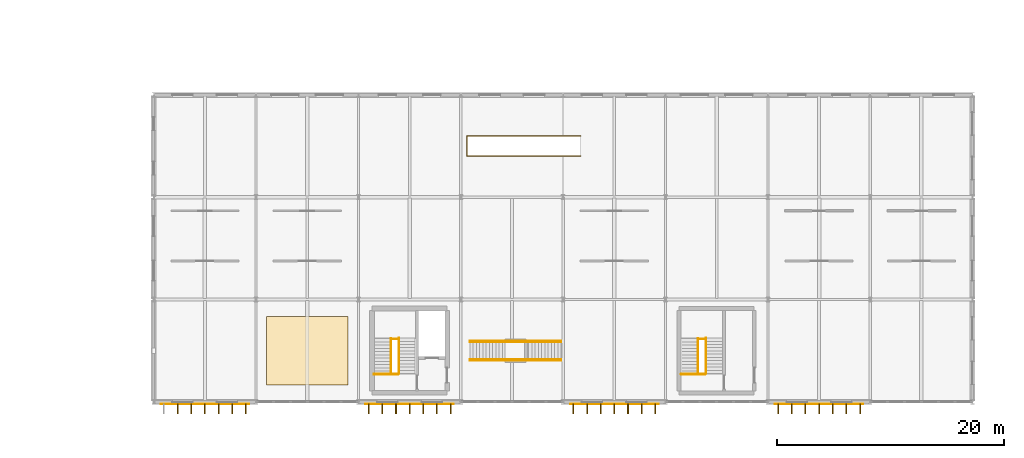
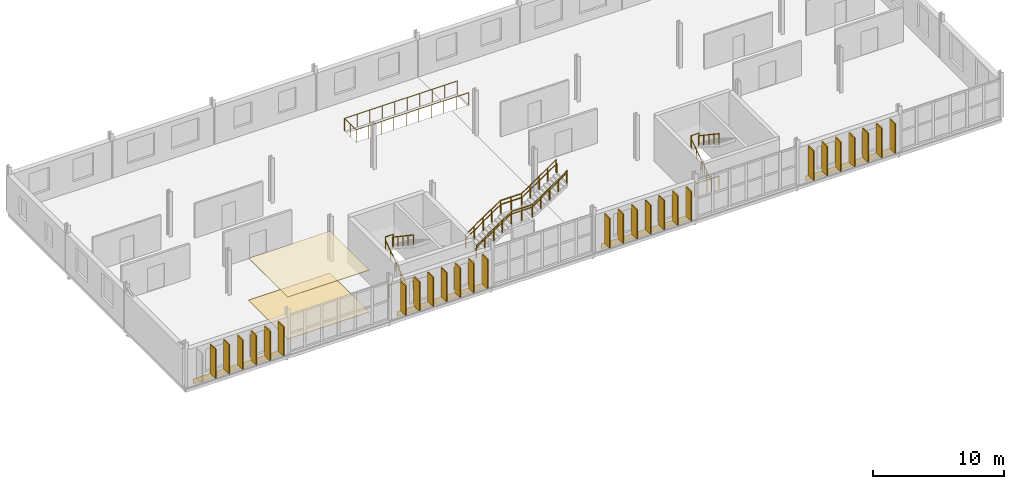
# One storey, part 156 of 161: 27 shading devices, 13 railings, 6 coverings.
"""IFC4 building model written with IfcOpenShell, lengths in metres."""

import ifcopenshell
import ifcopenshell.guid

model = None  # the IFC model being written
_history = None  # IfcOwnerHistory: only IFC2X3 demands one
_inside = {}  # id of a spatial element -> (the spatial element, [elements in it])
_under = {}  # id of a project, library or spatial element -> (it, [spatial elements below it])
_declared = {}  # id of a project -> (the project, [libraries it declares])
_typed = {}  # id of a type object -> (the type object, [elements of that type])
_made_of = {}  # id of a material, layer set ... -> (it, [elements and type objects made of it])


def new_model(schema):
    """Start an empty IFC model of exactly this schema.

    Asked for "IFC4X3", IfcOpenShell would pick the latest addendum, in which some entities
    have other attributes; the version numbers below select the first issue.
    IFC2X3 requires an IfcOwnerHistory on every rooted entity: one is made here for all.
    """
    global model, _history
    if schema == "IFC4X3":
        model = ifcopenshell.file(schema_version=(4, 3, 0, 0))
    else:
        model = ifcopenshell.file(schema=schema)
    _inside.clear()
    _under.clear()
    _declared.clear()
    _typed.clear()
    _made_of.clear()
    _history = None
    if model.schema == "IFC2X3":
        org = make("IfcOrganization", Name="unknown")
        user = make(
            "IfcPersonAndOrganization",
            ThePerson=make("IfcPerson", FamilyName="unknown"),
            TheOrganization=org,
        )
        app = make(
            "IfcApplication",
            ApplicationDeveloper=org,
            Version="unknown",
            ApplicationFullName="unknown",
            ApplicationIdentifier="unknown",
        )
        _history = make(
            "IfcOwnerHistory",
            OwningUser=user,
            OwningApplication=app,
            ChangeAction="ADDED",
            CreationDate=0,
        )
    return model


def make(cls, **values):
    """One entity of the class cls with the attributes given. An attribute that is None is left unset."""
    return model.create_entity(
        cls, **{name: value for name, value in values.items() if value is not None}
    )


def rooted(cls, **values):
    """An entity with a GlobalId (a new one), such as an element, a storey or a relation."""
    return make(cls, GlobalId=ifcopenshell.guid.new(), OwnerHistory=_history, **values)


def si_unit(unit_type, name, prefix=None):
    """IfcSIUnit, for example si_unit("LENGTHUNIT", "METRE", prefix="MILLI")."""
    return make("IfcSIUnit", UnitType=unit_type, Prefix=prefix, Name=name)


def assignment(units):
    """IfcUnitAssignment: the units of a project."""
    return None if units is None else make("IfcUnitAssignment", Units=units)


def point(xyz):
    """IfcCartesianPoint."""
    return None if xyz is None else make("IfcCartesianPoint", Coordinates=xyz)


def direction(xyz):
    """IfcDirection."""
    return None if xyz is None else make("IfcDirection", DirectionRatios=xyz)


def frame(location, z_axis=None, x_axis=None):
    """IfcAxis2Placement3D, a coordinate frame: its origin and axes. An axis left out is left unset."""
    return make(
        "IfcAxis2Placement3D",
        Location=point(location),
        Axis=direction(z_axis),
        RefDirection=direction(x_axis),
    )


def frame_2d(location, x_axis=None):
    """IfcAxis2Placement2D, a coordinate frame in the plane: its origin and x axis."""
    return make(
        "IfcAxis2Placement2D", Location=point(location), RefDirection=direction(x_axis)
    )


def origin():
    """The frame at (0, 0, 0) with its axes left unset."""
    return frame((0.0, 0.0, 0.0))


def origin_2d():
    """The frame at (0, 0) in the plane with its x axis left unset."""
    return frame_2d((0.0, 0.0))


def place(relative_to, where):
    """IfcLocalPlacement: puts the frame where relative to a parent placement (None: the world)."""
    return make(
        "IfcLocalPlacement", PlacementRelTo=relative_to, RelativePlacement=where
    )


def context(
    kind, dimensions, precision=None, world=None, true_north=None, identifier=None
):
    """IfcGeometricRepresentationContext, for example the 3D "Model" context."""
    return make(
        "IfcGeometricRepresentationContext",
        ContextIdentifier=identifier,
        ContextType=kind,
        CoordinateSpaceDimension=dimensions,
        Precision=precision,
        WorldCoordinateSystem=world,
        TrueNorth=true_north,
    )


def subcontext(parent, identifier, kind, view, scale=None):
    """IfcGeometricRepresentationSubContext, for example "Body" below "Model"."""
    return make(
        "IfcGeometricRepresentationSubContext",
        ContextIdentifier=identifier,
        ContextType=kind,
        ParentContext=parent,
        TargetScale=scale,
        TargetView=view,
    )


def project(units=None, contexts=None):
    """IfcProject with its units and contexts."""
    return rooted(
        "IfcProject",
        Name="project",
        RepresentationContexts=contexts,
        UnitsInContext=assignment(units),
    )


def spatial(cls, under=None, at=None, **own):
    """A site, building, storey or space (cls), placed at a placement, below another one or the project."""
    s = rooted(cls, ObjectPlacement=at, **own)
    if under is not None:
        _under.setdefault(under.id(), (under, []))[1].append(s)
    return s


def profile(cls, at=None, kind="AREA", **sizes):
    """A parametric profile (cls). Its sizes go by their IFC names, for example OverallWidth=200.0."""
    return make(cls, ProfileType=kind, Position=at, **sizes)


def rectangle(**sizes):
    """IfcRectangleProfileDef."""
    return profile("IfcRectangleProfileDef", **sizes)


def circle(**sizes):
    """IfcCircleProfileDef."""
    return profile("IfcCircleProfileDef", **sizes)


def extrude(swept, where, along, depth):
    """IfcExtrudedAreaSolid: the profile swept, set in the frame where, extruded along a direction by depth."""
    return make(
        "IfcExtrudedAreaSolid",
        SweptArea=swept,
        Position=where,
        ExtrudedDirection=direction(along),
        Depth=depth,
    )


def shape(context_of_items, identifier, shape_type, items):
    """IfcShapeRepresentation: the items that make up one representation, for example the "Body"."""
    return make(
        "IfcShapeRepresentation",
        ContextOfItems=context_of_items,
        RepresentationIdentifier=identifier,
        RepresentationType=shape_type,
        Items=items,
    )


def material(Name=None, Category=None):
    """IfcMaterial."""
    return make("IfcMaterial", Name=Name, Category=Category)


def layer(
    of_material, thickness, ventilated=None, Name=None, Category=None, Priority=None
):
    """IfcMaterialLayer: one layer of a wall or slab, of a material (None: an air gap)."""
    return make(
        "IfcMaterialLayer",
        Material=of_material,
        LayerThickness=thickness,
        IsVentilated=ventilated,
        Name=Name,
        Category=Category,
        Priority=Priority,
    )


def layer_set(layers, Name=None):
    """IfcMaterialLayerSet."""
    return make("IfcMaterialLayerSet", MaterialLayers=layers, LayerSetName=Name)


def made_of(thing, what):
    """Note that an element or type object is made of a material, layer set ...; save() writes the relation."""
    if what is not None:
        _made_of.setdefault(what.id(), (what, []))[1].append(thing)
    return thing


def type_object(cls, material=None, **own):
    """A type object (cls), such as IfcWallType, which elements share."""
    return made_of(rooted(cls, **own), material)


def element(
    cls,
    number,
    at=None,
    inside=None,
    cuts=None,
    type_object=None,
    material=None,
    context=None,
    identifier="Body",
    shape_type=None,
    held_by="IfcProductDefinitionShape",
    body=None,
    shapes=None,
    **own,
):
    """One element of the class cls, such as IfcWall. Its Tag is "e" and its number.

    at: its placement. inside: the storey or other place that contains it. cuts: it is an
    opening in that element (IfcRelVoidsElement). A single representation is given by context,
    identifier, shape_type and body (its items); several are given by shapes. held_by: the class
    of the entity that holds the representations. save() writes the other relations.
    """
    e = rooted(cls, Tag="e%d" % number, ObjectPlacement=at, **own)
    if body is not None:
        shapes = [shape(context, identifier, shape_type, body)]
    if shapes is not None:
        e.Representation = make(held_by, Representations=shapes)
    if inside is not None:
        _inside.setdefault(inside.id(), (inside, []))[1].append(e)
    if cuts is not None:
        rooted(
            "IfcRelVoidsElement", RelatingBuildingElement=cuts, RelatedOpeningElement=e
        )
    if type_object is not None:
        _typed.setdefault(type_object.id(), (type_object, []))[1].append(e)
    return made_of(e, material)


def aggregate(whole, parts):
    """IfcRelAggregates: a whole, such as a stair, and the parts it consists of."""
    return rooted("IfcRelAggregates", RelatingObject=whole, RelatedObjects=parts)


def save(model, path):
    """Write the relations noted so far, then the file.

    IfcRelAggregates (storeys below a building ...), IfcRelContainedInSpatialStructure (elements
    in a storey), IfcRelDefinesByType, IfcRelAssociatesMaterial and IfcRelDeclares: one each for
    every whole, place, type object, material and project.
    """
    for whole, parts in _under.values():
        aggregate(whole, parts)
    for where, things in _inside.values():
        rooted(
            "IfcRelContainedInSpatialStructure",
            RelatedElements=things,
            RelatingStructure=where,
        )
    for kind, things in _typed.values():
        rooted("IfcRelDefinesByType", RelatedObjects=things, RelatingType=kind)
    for what, things in _made_of.values():
        rooted("IfcRelAssociatesMaterial", RelatedObjects=things, RelatingMaterial=what)
    for by, libraries in _declared.values():
        rooted("IfcRelDeclares", RelatingContext=by, RelatedDefinitions=libraries)
    model.write(path)


model = new_model("IFC4")

# Units and contexts
model_context = context("Model", 3, precision=1e-05, world=origin(), true_north=direction((0.0, 1.0)))
body_context = subcontext(model_context, "Body", "Model", "MODEL_VIEW")
ifc_project = project(units=[si_unit("LENGTHUNIT", "METRE"), si_unit("AREAUNIT", "SQUARE_METRE"), si_unit("VOLUMEUNIT", "CUBIC_METRE"), si_unit("PLANEANGLEUNIT", "RADIAN"), si_unit("MASSUNIT", "GRAM", prefix="KILO")], contexts=[model_context])

# Site, building, storey
site_placement = place(None, origin())
site = spatial("IfcSite", under=ifc_project, at=site_placement, CompositionType="ELEMENT")
building_placement = place(site_placement, origin())
building = spatial("IfcBuilding", under=site, at=building_placement, Name="Kildeholm Park Wholesale Market", CompositionType="ELEMENT")
storey_placement = place(building_placement, frame((0.0, 0.0, 5.39990234375)))
storey = spatial("IfcBuildingStorey", under=building, at=storey_placement, Name="L01", CompositionType="ELEMENT", Elevation=5.39990234375)

# Shading devices
ifc_material_1 = material(Name="Glazed ceramic and anodised aluminium brise-soleil", Category="aluminium")
ifc_layer_1 = layer(ifc_material_1, 0.090087890625)
ifc_layer_set_1 = layer_set([ifc_layer_1], Name="Glazed ceramic and anodised aluminium brise-soleil")
shading_device_type = type_object("IfcShadingDeviceType", Name="Brise-soleil solar fin SH-FIN2 850x90", PredefinedType="USERDEFINED", material=ifc_layer_set_1)
for number, where, z_axis, x_axis, name in (
    (1, (128.10009765625, -0.60498046875, 0.60009765625), (0.0, 0.0, 1.0), (0.0, -1.0, 0.0), "Brise-soleil fin V5E-L01-S01-01.2 SHD-0134"),
    (2, (129.300048828125, -0.60498046875, 0.60009765625), (0.0, 0.0, 1.0), (0.0, -1.0, 0.0), "Brise-soleil fin V5E-L01-S01-01.3 SHD-0135"),
    (3, (130.5, -0.60498046875, 0.60009765625), (0.0, 0.0, 1.0), (0.0, -1.0, 0.0), "Brise-soleil fin V5E-L01-S01-01.4 SHD-0136"),
    (4, (131.699951171875, -0.60498046875, 0.60009765625), (0.0, 0.0, 1.0), (0.0, -1.0, 0.0), "Brise-soleil fin V5E-L01-S01-01.5 SHD-0137"),
    (5, (132.89990234375, -0.60498046875, 0.60009765625), (0.0, 0.0, 1.0), (0.0, -1.0, 0.0), "Brise-soleil fin V5E-L01-S01-01.6 SHD-0138"),
    (6, (134.10009765625, -0.60498046875, 0.60009765625), (0.0, 0.0, 1.0), (0.0, -1.0, 0.0), "Brise-soleil fin V5E-L01-S01-01.7 SHD-0139"),
    (7, (144.89990234375, -0.60498046875, 0.60009765625), (0.0, 0.0, 1.0), (0.0, -1.0, 0.0), "Brise-soleil fin V5E-L01-S03-01.1 SHD-0140"),
    (8, (146.10009765625, -0.60498046875, 0.60009765625), (0.0, 0.0, 1.0), (0.0, -1.0, 0.0), "Brise-soleil fin V5E-L01-S03-01.2 SHD-0141"),
    (9, (147.300048828125, -0.60498046875, 0.60009765625), (0.0, 0.0, 1.0), (0.0, -1.0, 0.0), "Brise-soleil fin V5E-L01-S03-01.3 SHD-0142"),
    (10, (148.5, -0.60498046875, 0.60009765625), (0.0, 0.0, 1.0), (0.0, -1.0, 0.0), "Brise-soleil fin V5E-L01-S03-01.4 SHD-0143"),
    (11, (149.699951171875, -0.60498046875, 0.60009765625), (0.0, 0.0, 1.0), (0.0, -1.0, 0.0), "Brise-soleil fin V5E-L01-S03-01.5 SHD-0144"),
    (12, (150.89990234375, -0.60498046875, 0.60009765625), (0.0, 0.0, 1.0), (0.0, -1.0, 0.0), "Brise-soleil fin V5E-L01-S03-01.6 SHD-0145"),
    (13, (152.10009765625, -0.60498046875, 0.60009765625), (0.0, 0.0, 1.0), (0.0, -1.0, 0.0), "Brise-soleil fin V5E-L01-S03-01.7 SHD-0146"),
    (14, (162.89990234375, -0.60498046875, 0.60009765625), (0.0, 0.0, 1.0), (0.0, -1.0, 0.0), "Brise-soleil fin V5E-L01-S05-01.1 SHD-0147"),
    (15, (164.10009765625, -0.60498046875, 0.60009765625), (0.0, 0.0, 1.0), (0.0, -1.0, 0.0), "Brise-soleil fin V5E-L01-S05-01.2 SHD-0148"),
    (16, (165.300048828125, -0.60498046875, 0.60009765625), (0.0, 0.0, 1.0), (0.0, -1.0, 0.0), "Brise-soleil fin V5E-L01-S05-01.3 SHD-0149"),
    (17, (166.5, -0.60498046875, 0.60009765625), (0.0, 0.0, 1.0), (0.0, -1.0, 0.0), "Brise-soleil fin V5E-L01-S05-01.4 SHD-0150"),
    (18, (167.699951171875, -0.60498046875, 0.60009765625), (0.0, 0.0, 1.0), (0.0, -1.0, 0.0), "Brise-soleil fin V5E-L01-S05-01.5 SHD-0151"),
    (19, (168.89990234375, -0.60498046875, 0.60009765625), (0.0, 0.0, 1.0), (0.0, -1.0, 0.0), "Brise-soleil fin V5E-L01-S05-01.6 SHD-0152"),
    (20, (170.10009765625, -0.60498046875, 0.60009765625), (0.0, 0.0, 1.0), (0.0, -1.0, 0.0), "Brise-soleil fin V5E-L01-S05-01.7 SHD-0153"),
    (21, (180.89990234375, -0.60498046875, 0.60009765625), (0.0, 0.0, 1.0), (0.0, -1.0, 0.0), "Brise-soleil fin V5E-L01-S07-01.1 SHD-0154"),
    (22, (182.10009765625, -0.60498046875, 0.60009765625), (0.0, 0.0, 1.0), (0.0, -1.0, 0.0), "Brise-soleil fin V5E-L01-S07-01.2 SHD-0155"),
    (23, (183.300048828125, -0.60498046875, 0.60009765625), (0.0, 0.0, 1.0), (0.0, -1.0, 0.0), "Brise-soleil fin V5E-L01-S07-01.3 SHD-0156"),
    (24, (184.5, -0.60498046875, 0.60009765625), (0.0, 0.0, 1.0), (0.0, -1.0, 0.0), "Brise-soleil fin V5E-L01-S07-01.4 SHD-0157"),
    (25, (185.699951171875, -0.60498046875, 0.60009765625), (0.0, 0.0, 1.0), (0.0, -1.0, 0.0), "Brise-soleil fin V5E-L01-S07-01.5 SHD-0158"),
    (26, (186.89990234375, -0.60498046875, 0.60009765625), (0.0, 0.0, 1.0), (0.0, -1.0, 0.0), "Brise-soleil fin V5E-L01-S07-01.6 SHD-0159"),
    (27, (188.10009765625, -0.60498046875, 0.60009765625), (0.0, 0.0, 1.0), (0.0, -1.0, 0.0), "Brise-soleil fin V5E-L01-S07-01.7 SHD-0160"),
):
    element("IfcShadingDevice", number, at=place(storey_placement, frame(where, z_axis=z_axis, x_axis=x_axis)), inside=storey, type_object=shading_device_type, Name=name, ObjectType="SOLAR FIN", PredefinedType="USERDEFINED", context=body_context, shape_type="SweptSolid", body=[
        extrude(rectangle(XDim=0.85009765625, YDim=0.090087890625, at=origin_2d()), origin(), (0.0, 0.0, 1.0), 2.75),
    ])

# Covering
ifc_material_2 = material(Name="Polished terrazzo flooring")
ifc_layer_2 = layer(ifc_material_2, 0.030029296875)
ifc_layer_set_2 = layer_set([ifc_layer_2], Name="Polished terrazzo flooring")
covering_type_1 = type_object("IfcCoveringType", Name="Heavy-duty terrazzo market flooring CV-FLR1 30 mm", PredefinedType="FLOORING", material=ifc_layer_set_2)
covering_1_placement = place(storey_placement, frame((139.5, 4.5, 0.0), z_axis=(0.0, 0.0, 1.0), x_axis=(1.0, 0.0, 0.0)))
element("IfcCovering", 28, at=covering_1_placement, inside=storey, type_object=covering_type_1, Name="Market floor finish 8 COV-0055", PredefinedType="FLOORING", context=body_context, shape_type="SweptSolid", body=[
    extrude(rectangle(XDim=7.199951171875, YDim=6.0, at=origin_2d()), origin(), (0.0, 0.0, 1.0), 0.030029296875),
])

# Railings
ifc_material_3 = material(Name="Painted steel and laminated glass balustrade", Category="steel")
railing_type_1 = type_object("IfcRailingType", Name="Interior gallery and stairwell guard GR-IN1 1200 mm", PredefinedType="GUARDRAIL", material=ifc_material_3)
railing_1_placement = place(storey_placement, frame((145.360107421875, 2.429931640625, 0.0)))
element("IfcRailing", 29, at=railing_1_placement, inside=storey, type_object=railing_type_1, Name="Stair C06 upper floor well guard L01 RLG-0075", PredefinedType="GUARDRAIL", context=body_context, shape_type="SweptSolid", body=[
    extrude(circle(Radius=0.02392578125, at=origin_2d()), frame((0.0, 0.0, 1.17578125), z_axis=(1.0, 0.0, 0.0), x_axis=(0.0, 1.0, 0.0)), (0.0, 0.0, 1.0), 2.14990234375),
    extrude(circle(Radius=0.02099609375, at=origin_2d()), origin(), (0.0, 0.0, 1.0), 1.15185546875),
    extrude(circle(Radius=0.02099609375, at=origin_2d()), frame((1.074951171875, 0.0, 0.0)), (0.0, 0.0, 1.0), 1.15185546875),
    extrude(circle(Radius=0.02099609375, at=origin_2d()), frame((2.14990234375, 0.0, 0.0)), (0.0, 0.0, 1.0), 1.15185546875),
])
railing_2_placement = place(storey_placement, frame((146.860107421875, 5.544921875, 2.10009765625)))
element("IfcRailing", 30, at=railing_2_placement, inside=storey, type_object=railing_type_1, Name="Stair C06 half-landing well guard L01 RLG-0078", PredefinedType="GUARDRAIL", context=body_context, shape_type="SweptSolid", body=[
    extrude(circle(Radius=0.02392578125, at=origin_2d()), frame((0.0, 0.0, 1.17578125), z_axis=(1.0, 0.0, 0.0), x_axis=(0.0, 1.0, 0.0)), (0.0, 0.0, 1.0), 0.68994140625),
    extrude(circle(Radius=0.02099609375, at=origin_2d()), origin(), (0.0, 0.0, 1.0), 1.15185546875),
    extrude(circle(Radius=0.02099609375, at=origin_2d()), frame((0.68994140625, 0.0, 0.0)), (0.0, 0.0, 1.0), 1.15185546875),
])
railing_3_placement = place(storey_placement, frame((172.360107421875, 2.429931640625, 0.0)))
element("IfcRailing", 31, at=railing_3_placement, inside=storey, type_object=railing_type_1, Name="Stair C07 upper floor well guard L01 RLG-0087", PredefinedType="GUARDRAIL", context=body_context, shape_type="SweptSolid", body=[
    extrude(circle(Radius=0.02392578125, at=origin_2d()), frame((0.0, 0.0, 1.17578125), z_axis=(1.0, 0.0, 0.0), x_axis=(0.0, 1.0, 0.0)), (0.0, 0.0, 1.0), 2.14990234375),
    extrude(circle(Radius=0.02099609375, at=origin_2d()), origin(), (0.0, 0.0, 1.0), 1.15185546875),
    extrude(circle(Radius=0.02099609375, at=origin_2d()), frame((1.074951171875, 0.0, 0.0)), (0.0, 0.0, 1.0), 1.15185546875),
    extrude(circle(Radius=0.02099609375, at=origin_2d()), frame((2.14990234375, 0.0, 0.0)), (0.0, 0.0, 1.0), 1.15185546875),
])
railing_4_placement = place(storey_placement, frame((173.860107421875, 5.544921875, 2.10009765625)))
element("IfcRailing", 32, at=railing_4_placement, inside=storey, type_object=railing_type_1, Name="Stair C07 half-landing well guard L01 RLG-0090", PredefinedType="GUARDRAIL", context=body_context, shape_type="SweptSolid", body=[
    extrude(circle(Radius=0.02392578125, at=origin_2d()), frame((0.0, 0.0, 1.17578125), z_axis=(1.0, 0.0, 0.0), x_axis=(0.0, 1.0, 0.0)), (0.0, 0.0, 1.0), 0.68994140625),
    extrude(circle(Radius=0.02099609375, at=origin_2d()), origin(), (0.0, 0.0, 1.0), 1.15185546875),
    extrude(circle(Radius=0.02099609375, at=origin_2d()), frame((0.68994140625, 0.0, 0.0)), (0.0, 0.0, 1.0), 1.15185546875),
])
railing_5_placement = place(storey_placement, frame((163.510009765625, 21.610107421875, 0.0)))
element("IfcRailing", 33, at=railing_5_placement, inside=storey, type_object=railing_type_1, Name="Feature stair well guard ST-FT02 RLG-0163", PredefinedType="GUARDRAIL", context=body_context, shape_type="SweptSolid", body=[
    extrude(circle(Radius=0.02392578125, at=origin_2d()), frame((0.0, 0.0, 1.17578125), z_axis=(-1.0, 0.0, 0.0), x_axis=(0.0, -1.0, 0.0)), (0.0, 0.0, 1.0), 9.9599609375),
    extrude(circle(Radius=0.02392578125, at=origin_2d()), frame((-9.9599609375, 0.0, 1.17578125), z_axis=(0.0, 1.0, 0.0), x_axis=(-1.0, 0.0, 0.0)), (0.0, 0.0, 1.0), 1.77978515625),
    extrude(circle(Radius=0.02392578125, at=origin_2d()), frame((-9.9599609375, 1.77978515625, 1.17578125), z_axis=(1.0, 0.0, 0.0), x_axis=(0.0, 1.0, 0.0)), (0.0, 0.0, 1.0), 9.9599609375),
    extrude(circle(Radius=0.02099609375, at=origin_2d()), origin(), (0.0, 0.0, 1.0), 1.15185546875),
    extrude(circle(Radius=0.02099609375, at=origin_2d()), frame((-1.106689453125, 0.0, 0.0)), (0.0, 0.0, 1.0), 1.15185546875),
    extrude(circle(Radius=0.02099609375, at=origin_2d()), frame((-2.21337890625, 0.0, 0.0)), (0.0, 0.0, 1.0), 1.15185546875),
    extrude(circle(Radius=0.02099609375, at=origin_2d()), frame((-3.320068359375, 0.0, 0.0)), (0.0, 0.0, 1.0), 1.15185546875),
    extrude(circle(Radius=0.02099609375, at=origin_2d()), frame((-4.4267578125, 0.0, 0.0)), (0.0, 0.0, 1.0), 1.15185546875),
    extrude(circle(Radius=0.02099609375, at=origin_2d()), frame((-5.533203125, 0.0, 0.0)), (0.0, 0.0, 1.0), 1.15185546875),
    extrude(circle(Radius=0.02099609375, at=origin_2d()), frame((-6.639892578125, 0.0, 0.0)), (0.0, 0.0, 1.0), 1.15185546875),
    extrude(circle(Radius=0.02099609375, at=origin_2d()), frame((-7.74658203125, 0.0, 0.0)), (0.0, 0.0, 1.0), 1.15185546875),
    extrude(circle(Radius=0.02099609375, at=origin_2d()), frame((-8.853271484375, 0.0, 0.0)), (0.0, 0.0, 1.0), 1.15185546875),
    extrude(circle(Radius=0.02099609375, at=origin_2d()), frame((-9.9599609375, 0.0, 0.0)), (0.0, 0.0, 1.0), 1.15185546875),
    extrude(circle(Radius=0.02099609375, at=origin_2d()), frame((-9.9599609375, 0.889892578125, 0.0)), (0.0, 0.0, 1.0), 1.15185546875),
    extrude(circle(Radius=0.02099609375, at=origin_2d()), frame((-9.9599609375, 1.77978515625, 0.0)), (0.0, 0.0, 1.0), 1.15185546875),
    extrude(circle(Radius=0.02099609375, at=origin_2d()), frame((-8.853271484375, 1.77978515625, 0.0)), (0.0, 0.0, 1.0), 1.15185546875),
    extrude(circle(Radius=0.02099609375, at=origin_2d()), frame((-7.74658203125, 1.77978515625, 0.0)), (0.0, 0.0, 1.0), 1.15185546875),
    extrude(circle(Radius=0.02099609375, at=origin_2d()), frame((-6.639892578125, 1.77978515625, 0.0)), (0.0, 0.0, 1.0), 1.15185546875),
    extrude(circle(Radius=0.02099609375, at=origin_2d()), frame((-5.533203125, 1.77978515625, 0.0)), (0.0, 0.0, 1.0), 1.15185546875),
    extrude(circle(Radius=0.02099609375, at=origin_2d()), frame((-4.4267578125, 1.77978515625, 0.0)), (0.0, 0.0, 1.0), 1.15185546875),
    extrude(circle(Radius=0.02099609375, at=origin_2d()), frame((-3.320068359375, 1.77978515625, 0.0)), (0.0, 0.0, 1.0), 1.15185546875),
    extrude(circle(Radius=0.02099609375, at=origin_2d()), frame((-2.21337890625, 1.77978515625, 0.0)), (0.0, 0.0, 1.0), 1.15185546875),
    extrude(circle(Radius=0.02099609375, at=origin_2d()), frame((-1.106689453125, 1.77978515625, 0.0)), (0.0, 0.0, 1.0), 1.15185546875),
    extrude(circle(Radius=0.02099609375, at=origin_2d()), frame((0.0, 1.77978515625, 0.0)), (0.0, 0.0, 1.0), 1.15185546875),
])
railing_6_placement = place(storey_placement, frame((153.800048828125, 3.659912109375, 0.0)))
element("IfcRailing", 34, at=railing_6_placement, inside=storey, type_object=railing_type_1, Name="Feature stair guard ST-FT05 S RLG-0174", PredefinedType="GUARDRAIL", context=body_context, shape_type="SweptSolid", body=[
    extrude(circle(Radius=0.02392578125, at=origin_2d()), frame((0.0, 0.0, 1.17578125), z_axis=(0.827483356406, 0.0, 0.56149024468), x_axis=(0.0, 1.0, 0.0)), (0.0, 0.0, 1.0), 3.740234375),
    extrude(circle(Radius=0.02392578125, at=origin_2d()), frame((3.094970703125, 0.0, 3.27587890625), z_axis=(1.0, 0.0, 0.0), x_axis=(0.0, 1.0, 0.0)), (0.0, 0.0, 1.0), 1.85009765625),
    extrude(circle(Radius=0.02392578125, at=origin_2d()), frame((4.945068359375, 0.0, 3.27587890625), z_axis=(0.825784597055, 0.0, 0.563985637465), x_axis=(0.0, 1.0, 0.0)), (0.0, 0.0, 1.0), 3.7236328125),
    extrude(circle(Radius=0.02099609375, at=origin_2d()), origin(), (0.0, 0.0, 1.0), 1.15185546875),
    extrude(circle(Radius=0.02099609375, at=origin_2d()), frame((0.773681640625, 0.0, 0.52490234375)), (0.0, 0.0, 1.0), 1.15185546875),
    extrude(circle(Radius=0.02099609375, at=origin_2d()), frame((1.54736328125, 0.0, 1.050048828125)), (0.0, 0.0, 1.0), 1.15185546875),
    extrude(circle(Radius=0.02099609375, at=origin_2d()), frame((2.3212890625, 0.0, 1.5751953125)), (0.0, 0.0, 1.0), 1.15185546875),
    extrude(circle(Radius=0.02099609375, at=origin_2d()), frame((3.094970703125, 0.0, 2.10009765625)), (0.0, 0.0, 1.0), 1.15185546875),
    extrude(circle(Radius=0.02099609375, at=origin_2d()), frame((4.02001953125, 0.0, 2.10009765625)), (0.0, 0.0, 1.0), 1.15185546875),
    extrude(circle(Radius=0.02099609375, at=origin_2d()), frame((4.945068359375, 0.0, 2.10009765625)), (0.0, 0.0, 1.0), 1.15185546875),
    extrude(circle(Radius=0.02099609375, at=origin_2d()), frame((5.7138671875, 0.0, 2.625)), (0.0, 0.0, 1.0), 1.15185546875),
    extrude(circle(Radius=0.02099609375, at=origin_2d()), frame((6.482421875, 0.0, 3.150146484375)), (0.0, 0.0, 1.0), 1.15185546875),
    extrude(circle(Radius=0.02099609375, at=origin_2d()), frame((7.251220703125, 0.0, 3.67529296875)), (0.0, 0.0, 1.0), 1.15185546875),
    extrude(circle(Radius=0.02099609375, at=origin_2d()), frame((8.02001953125, 0.0, 4.2001953125)), (0.0, 0.0, 1.0), 1.15185546875),
])
railing_7_placement = place(storey_placement, frame((153.800048828125, 5.340087890625, 0.0)))
element("IfcRailing", 35, at=railing_7_placement, inside=storey, type_object=railing_type_1, Name="Feature stair guard ST-FT05 N RLG-0176", PredefinedType="GUARDRAIL", context=body_context, shape_type="SweptSolid", body=[
    extrude(circle(Radius=0.02392578125, at=origin_2d()), frame((0.0, 0.0, 1.17578125), z_axis=(0.827483356406, 0.0, 0.56149024468), x_axis=(0.0, 1.0, 0.0)), (0.0, 0.0, 1.0), 3.740234375),
    extrude(circle(Radius=0.02392578125, at=origin_2d()), frame((3.094970703125, 0.0, 3.27587890625), z_axis=(1.0, 0.0, 0.0), x_axis=(0.0, 1.0, 0.0)), (0.0, 0.0, 1.0), 1.85009765625),
    extrude(circle(Radius=0.02392578125, at=origin_2d()), frame((4.945068359375, 0.0, 3.27587890625), z_axis=(0.825784597055, 0.0, 0.563985637465), x_axis=(0.0, 1.0, 0.0)), (0.0, 0.0, 1.0), 3.7236328125),
    extrude(circle(Radius=0.02099609375, at=origin_2d()), origin(), (0.0, 0.0, 1.0), 1.15185546875),
    extrude(circle(Radius=0.02099609375, at=origin_2d()), frame((0.773681640625, 0.0, 0.52490234375)), (0.0, 0.0, 1.0), 1.15185546875),
    extrude(circle(Radius=0.02099609375, at=origin_2d()), frame((1.54736328125, 0.0, 1.050048828125)), (0.0, 0.0, 1.0), 1.15185546875),
    extrude(circle(Radius=0.02099609375, at=origin_2d()), frame((2.3212890625, 0.0, 1.5751953125)), (0.0, 0.0, 1.0), 1.15185546875),
    extrude(circle(Radius=0.02099609375, at=origin_2d()), frame((3.094970703125, 0.0, 2.10009765625)), (0.0, 0.0, 1.0), 1.15185546875),
    extrude(circle(Radius=0.02099609375, at=origin_2d()), frame((4.02001953125, 0.0, 2.10009765625)), (0.0, 0.0, 1.0), 1.15185546875),
    extrude(circle(Radius=0.02099609375, at=origin_2d()), frame((4.945068359375, 0.0, 2.10009765625)), (0.0, 0.0, 1.0), 1.15185546875),
    extrude(circle(Radius=0.02099609375, at=origin_2d()), frame((5.7138671875, 0.0, 2.625)), (0.0, 0.0, 1.0), 1.15185546875),
    extrude(circle(Radius=0.02099609375, at=origin_2d()), frame((6.482421875, 0.0, 3.150146484375)), (0.0, 0.0, 1.0), 1.15185546875),
    extrude(circle(Radius=0.02099609375, at=origin_2d()), frame((7.251220703125, 0.0, 3.67529296875)), (0.0, 0.0, 1.0), 1.15185546875),
    extrude(circle(Radius=0.02099609375, at=origin_2d()), frame((8.02001953125, 0.0, 4.2001953125)), (0.0, 0.0, 1.0), 1.15185546875),
])

# Coverings
ifc_material_4 = material(Name="Fire-retardant acoustic baffle ceiling")
ifc_layer_3 = layer(ifc_material_4, 0.054931640625)
ifc_layer_set_3 = layer_set([ifc_layer_3], Name="Fire-retardant acoustic baffle ceiling")
covering_type_2 = type_object("IfcCoveringType", Name="Perforated acoustic timber-slat ceiling CV-CLG2 55 mm", PredefinedType="CEILING", material=ifc_layer_set_3)
covering_2_placement = place(storey_placement, frame((139.5, 4.5, 3.9052734375), z_axis=(0.0, 0.0, 1.0), x_axis=(1.0, 0.0, 0.0)))
element("IfcCovering", 36, at=covering_2_placement, inside=storey, type_object=covering_type_2, Name="Acoustic ceiling 8 COV-0056", PredefinedType="CEILING", context=body_context, shape_type="SweptSolid", body=[
    extrude(rectangle(XDim=7.199951171875, YDim=6.0, at=origin_2d()), origin(), (0.0, 0.0, 1.0), 0.054931640625),
])
ifc_material_5 = material(Name="Polychrome broken-tile glazed ceramic mosaic")
ifc_layer_4 = layer(ifc_material_5, 0.034912109375)
ifc_layer_set_4 = layer_set([ifc_layer_4], Name="Polychrome broken-tile glazed ceramic mosaic")
covering_type_3 = type_object("IfcCoveringType", Name="Polychrome ceramic mosaic spandrel cladding CV-CL1", PredefinedType="CLADDING", material=ifc_layer_set_4)
for number, where, z_axis, x_axis, name in (
    (37, (130.5, -0.179931640625, 0.10009765625), (0.0, 0.0, 1.0), (1.0, 0.0, 0.0), "Polychrome ceramic mosaic spandrel V5E-L01-1 COV-0033"),
    (38, (148.5, -0.179931640625, 0.10009765625), (0.0, 0.0, 1.0), (1.0, 0.0, 0.0), "Polychrome ceramic mosaic spandrel V5E-L01-3 COV-0034"),
    (39, (166.5, -0.179931640625, 0.10009765625), (0.0, 0.0, 1.0), (1.0, 0.0, 0.0), "Polychrome ceramic mosaic spandrel V5E-L01-5 COV-0035"),
    (40, (184.5, -0.179931640625, 0.10009765625), (0.0, 0.0, 1.0), (1.0, 0.0, 0.0), "Polychrome ceramic mosaic spandrel V5E-L01-7 COV-0036"),
):
    element("IfcCovering", number, at=place(storey_placement, frame(where, z_axis=z_axis, x_axis=x_axis)), inside=storey, type_object=covering_type_3, Name=name, PredefinedType="CLADDING", context=body_context, shape_type="SweptSolid", body=[
        extrude(rectangle(XDim=7.800048828125, YDim=0.034912109375, at=origin_2d()), origin(), (0.0, 0.0, 1.0), 0.5),
    ])

# Railings
ifc_material_6 = material(Name="Stainless steel AISI 316 handrail", Category="steel")
railing_type_2 = type_object("IfcRailingType", Name="Stair flight handrail HR-IN1 900 mm", PredefinedType="HANDRAIL", material=ifc_material_6)
railing_8_placement = place(storey_placement, frame((146.860107421875, 2.419921875, 0.0)))
element("IfcRailing", 41, at=railing_8_placement, inside=storey, type_object=railing_type_2, Name="Stair C06 flight 1 handrail L01 RLG-0080", PredefinedType="HANDRAIL", context=body_context, shape_type="SweptSolid", body=[
    extrude(circle(Radius=0.02392578125, at=origin_2d()), frame((0.0, 0.0, 0.8759765625), z_axis=(0.0, 0.830813955726, 0.556550241192), x_axis=(-1.0, 0.0, 0.0)), (0.0, 0.0, 1.0), 3.7734375),
    extrude(circle(Radius=0.02099609375, at=origin_2d()), origin(), (0.0, 0.0, 1.0), 0.851806640625),
    extrude(circle(Radius=0.02099609375, at=origin_2d()), frame((0.0, 0.78369140625, 0.52490234375)), (0.0, 0.0, 1.0), 0.851806640625),
    extrude(circle(Radius=0.02099609375, at=origin_2d()), frame((0.0, 1.5673828125, 1.050048828125)), (0.0, 0.0, 1.0), 0.851806640625),
    extrude(circle(Radius=0.02099609375, at=origin_2d()), frame((0.0, 2.351318359375, 1.5751953125)), (0.0, 0.0, 1.0), 0.851806640625),
    extrude(circle(Radius=0.02099609375, at=origin_2d()), frame((0.0, 3.135009765625, 2.10009765625)), (0.0, 0.0, 1.0), 0.851806640625),
])
railing_9_placement = place(storey_placement, frame((147.550048828125, 5.614990234375, 2.10009765625)))
element("IfcRailing", 42, at=railing_9_placement, inside=storey, type_object=railing_type_2, Name="Stair C06 flight 2 handrail L01 RLG-0081", PredefinedType="HANDRAIL", context=body_context, shape_type="SweptSolid", body=[
    extrude(circle(Radius=0.02392578125, at=origin_2d()), frame((0.0, 0.0, 0.8759765625), z_axis=(0.0, -0.830813955726, 0.556550241192), x_axis=(1.0, 0.0, 0.0)), (0.0, 0.0, 1.0), 3.7734375),
    extrude(circle(Radius=0.02099609375, at=origin_2d()), origin(), (0.0, 0.0, 1.0), 0.851806640625),
    extrude(circle(Radius=0.02099609375, at=origin_2d()), frame((0.0, -0.78369140625, 0.52490234375)), (0.0, 0.0, 1.0), 0.851806640625),
    extrude(circle(Radius=0.02099609375, at=origin_2d()), frame((0.0, -1.5673828125, 1.050048828125)), (0.0, 0.0, 1.0), 0.851806640625),
    extrude(circle(Radius=0.02099609375, at=origin_2d()), frame((0.0, -2.351318359375, 1.5751953125)), (0.0, 0.0, 1.0), 0.851806640625),
    extrude(circle(Radius=0.02099609375, at=origin_2d()), frame((0.0, -3.135009765625, 2.10009765625)), (0.0, 0.0, 1.0), 0.851806640625),
])
railing_10_placement = place(storey_placement, frame((173.860107421875, 2.419921875, 0.0)))
element("IfcRailing", 43, at=railing_10_placement, inside=storey, type_object=railing_type_2, Name="Stair C07 flight 1 handrail L01 RLG-0092", PredefinedType="HANDRAIL", context=body_context, shape_type="SweptSolid", body=[
    extrude(circle(Radius=0.02392578125, at=origin_2d()), frame((0.0, 0.0, 0.8759765625), z_axis=(0.0, 0.830813955726, 0.556550241192), x_axis=(-1.0, 0.0, 0.0)), (0.0, 0.0, 1.0), 3.7734375),
    extrude(circle(Radius=0.02099609375, at=origin_2d()), origin(), (0.0, 0.0, 1.0), 0.851806640625),
    extrude(circle(Radius=0.02099609375, at=origin_2d()), frame((0.0, 0.78369140625, 0.52490234375)), (0.0, 0.0, 1.0), 0.851806640625),
    extrude(circle(Radius=0.02099609375, at=origin_2d()), frame((0.0, 1.5673828125, 1.050048828125)), (0.0, 0.0, 1.0), 0.851806640625),
    extrude(circle(Radius=0.02099609375, at=origin_2d()), frame((0.0, 2.351318359375, 1.5751953125)), (0.0, 0.0, 1.0), 0.851806640625),
    extrude(circle(Radius=0.02099609375, at=origin_2d()), frame((0.0, 3.135009765625, 2.10009765625)), (0.0, 0.0, 1.0), 0.851806640625),
])
railing_11_placement = place(storey_placement, frame((174.550048828125, 5.614990234375, 2.10009765625)))
element("IfcRailing", 44, at=railing_11_placement, inside=storey, type_object=railing_type_2, Name="Stair C07 flight 2 handrail L01 RLG-0093", PredefinedType="HANDRAIL", context=body_context, shape_type="SweptSolid", body=[
    extrude(circle(Radius=0.02392578125, at=origin_2d()), frame((0.0, 0.0, 0.8759765625), z_axis=(0.0, -0.830813955726, 0.556550241192), x_axis=(1.0, 0.0, 0.0)), (0.0, 0.0, 1.0), 3.7734375),
    extrude(circle(Radius=0.02099609375, at=origin_2d()), origin(), (0.0, 0.0, 1.0), 0.851806640625),
    extrude(circle(Radius=0.02099609375, at=origin_2d()), frame((0.0, -0.78369140625, 0.52490234375)), (0.0, 0.0, 1.0), 0.851806640625),
    extrude(circle(Radius=0.02099609375, at=origin_2d()), frame((0.0, -1.5673828125, 1.050048828125)), (0.0, 0.0, 1.0), 0.851806640625),
    extrude(circle(Radius=0.02099609375, at=origin_2d()), frame((0.0, -2.351318359375, 1.5751953125)), (0.0, 0.0, 1.0), 0.851806640625),
    extrude(circle(Radius=0.02099609375, at=origin_2d()), frame((0.0, -3.135009765625, 2.10009765625)), (0.0, 0.0, 1.0), 0.851806640625),
])
railing_12_placement = place(storey_placement, frame((153.800048828125, 3.743896484375, 0.0)))
element("IfcRailing", 45, at=railing_12_placement, inside=storey, type_object=railing_type_2, Name="Feature stair handrail ST-FT05 S RLG-0175", PredefinedType="HANDRAIL", context=body_context, shape_type="SweptSolid", body=[
    extrude(circle(Radius=0.02392578125, at=origin_2d()), frame((0.0, 0.0, 0.8759765625), z_axis=(0.827483356406, 0.0, 0.56149024468), x_axis=(0.0, 1.0, 0.0)), (0.0, 0.0, 1.0), 3.740234375),
    extrude(circle(Radius=0.02392578125, at=origin_2d()), frame((3.094970703125, 0.0, 2.97607421875), z_axis=(1.0, 0.0, 0.0), x_axis=(0.0, 1.0, 0.0)), (0.0, 0.0, 1.0), 1.85009765625),
    extrude(circle(Radius=0.02392578125, at=origin_2d()), frame((4.945068359375, 0.0, 2.97607421875), z_axis=(0.825784597055, 0.0, 0.563985637465), x_axis=(0.0, 1.0, 0.0)), (0.0, 0.0, 1.0), 3.7236328125),
    extrude(circle(Radius=0.02099609375, at=origin_2d()), origin(), (0.0, 0.0, 1.0), 0.851806640625),
    extrude(circle(Radius=0.02099609375, at=origin_2d()), frame((0.773681640625, 0.0, 0.52490234375)), (0.0, 0.0, 1.0), 0.851806640625),
    extrude(circle(Radius=0.02099609375, at=origin_2d()), frame((1.54736328125, 0.0, 1.050048828125)), (0.0, 0.0, 1.0), 0.851806640625),
    extrude(circle(Radius=0.02099609375, at=origin_2d()), frame((2.3212890625, 0.0, 1.5751953125)), (0.0, 0.0, 1.0), 0.851806640625),
    extrude(circle(Radius=0.02099609375, at=origin_2d()), frame((3.094970703125, 0.0, 2.10009765625)), (0.0, 0.0, 1.0), 0.851806640625),
    extrude(circle(Radius=0.02099609375, at=origin_2d()), frame((4.02001953125, 0.0, 2.10009765625)), (0.0, 0.0, 1.0), 0.851806640625),
    extrude(circle(Radius=0.02099609375, at=origin_2d()), frame((4.945068359375, 0.0, 2.10009765625)), (0.0, 0.0, 1.0), 0.851806640625),
    extrude(circle(Radius=0.02099609375, at=origin_2d()), frame((5.7138671875, 0.0, 2.625)), (0.0, 0.0, 1.0), 0.851806640625),
    extrude(circle(Radius=0.02099609375, at=origin_2d()), frame((6.482421875, 0.0, 3.150146484375)), (0.0, 0.0, 1.0), 0.851806640625),
    extrude(circle(Radius=0.02099609375, at=origin_2d()), frame((7.251220703125, 0.0, 3.67529296875)), (0.0, 0.0, 1.0), 0.851806640625),
    extrude(circle(Radius=0.02099609375, at=origin_2d()), frame((8.02001953125, 0.0, 4.2001953125)), (0.0, 0.0, 1.0), 0.851806640625),
])
railing_13_placement = place(storey_placement, frame((153.800048828125, 5.256103515625, 0.0)))
element("IfcRailing", 46, at=railing_13_placement, inside=storey, type_object=railing_type_2, Name="Feature stair handrail ST-FT05 N RLG-0177", PredefinedType="HANDRAIL", context=body_context, shape_type="SweptSolid", body=[
    extrude(circle(Radius=0.02392578125, at=origin_2d()), frame((0.0, 0.0, 0.8759765625), z_axis=(0.827483356406, 0.0, 0.56149024468), x_axis=(0.0, 1.0, 0.0)), (0.0, 0.0, 1.0), 3.740234375),
    extrude(circle(Radius=0.02392578125, at=origin_2d()), frame((3.094970703125, 0.0, 2.97607421875), z_axis=(1.0, 0.0, 0.0), x_axis=(0.0, 1.0, 0.0)), (0.0, 0.0, 1.0), 1.85009765625),
    extrude(circle(Radius=0.02392578125, at=origin_2d()), frame((4.945068359375, 0.0, 2.97607421875), z_axis=(0.825784597055, 0.0, 0.563985637465), x_axis=(0.0, 1.0, 0.0)), (0.0, 0.0, 1.0), 3.7236328125),
    extrude(circle(Radius=0.02099609375, at=origin_2d()), origin(), (0.0, 0.0, 1.0), 0.851806640625),
    extrude(circle(Radius=0.02099609375, at=origin_2d()), frame((0.773681640625, 0.0, 0.52490234375)), (0.0, 0.0, 1.0), 0.851806640625),
    extrude(circle(Radius=0.02099609375, at=origin_2d()), frame((1.54736328125, 0.0, 1.050048828125)), (0.0, 0.0, 1.0), 0.851806640625),
    extrude(circle(Radius=0.02099609375, at=origin_2d()), frame((2.3212890625, 0.0, 1.5751953125)), (0.0, 0.0, 1.0), 0.851806640625),
    extrude(circle(Radius=0.02099609375, at=origin_2d()), frame((3.094970703125, 0.0, 2.10009765625)), (0.0, 0.0, 1.0), 0.851806640625),
    extrude(circle(Radius=0.02099609375, at=origin_2d()), frame((4.02001953125, 0.0, 2.10009765625)), (0.0, 0.0, 1.0), 0.851806640625),
    extrude(circle(Radius=0.02099609375, at=origin_2d()), frame((4.945068359375, 0.0, 2.10009765625)), (0.0, 0.0, 1.0), 0.851806640625),
    extrude(circle(Radius=0.02099609375, at=origin_2d()), frame((5.7138671875, 0.0, 2.625)), (0.0, 0.0, 1.0), 0.851806640625),
    extrude(circle(Radius=0.02099609375, at=origin_2d()), frame((6.482421875, 0.0, 3.150146484375)), (0.0, 0.0, 1.0), 0.851806640625),
    extrude(circle(Radius=0.02099609375, at=origin_2d()), frame((7.251220703125, 0.0, 3.67529296875)), (0.0, 0.0, 1.0), 0.851806640625),
    extrude(circle(Radius=0.02099609375, at=origin_2d()), frame((8.02001953125, 0.0, 4.2001953125)), (0.0, 0.0, 1.0), 0.851806640625),
])

save(model, "model.ifc")
